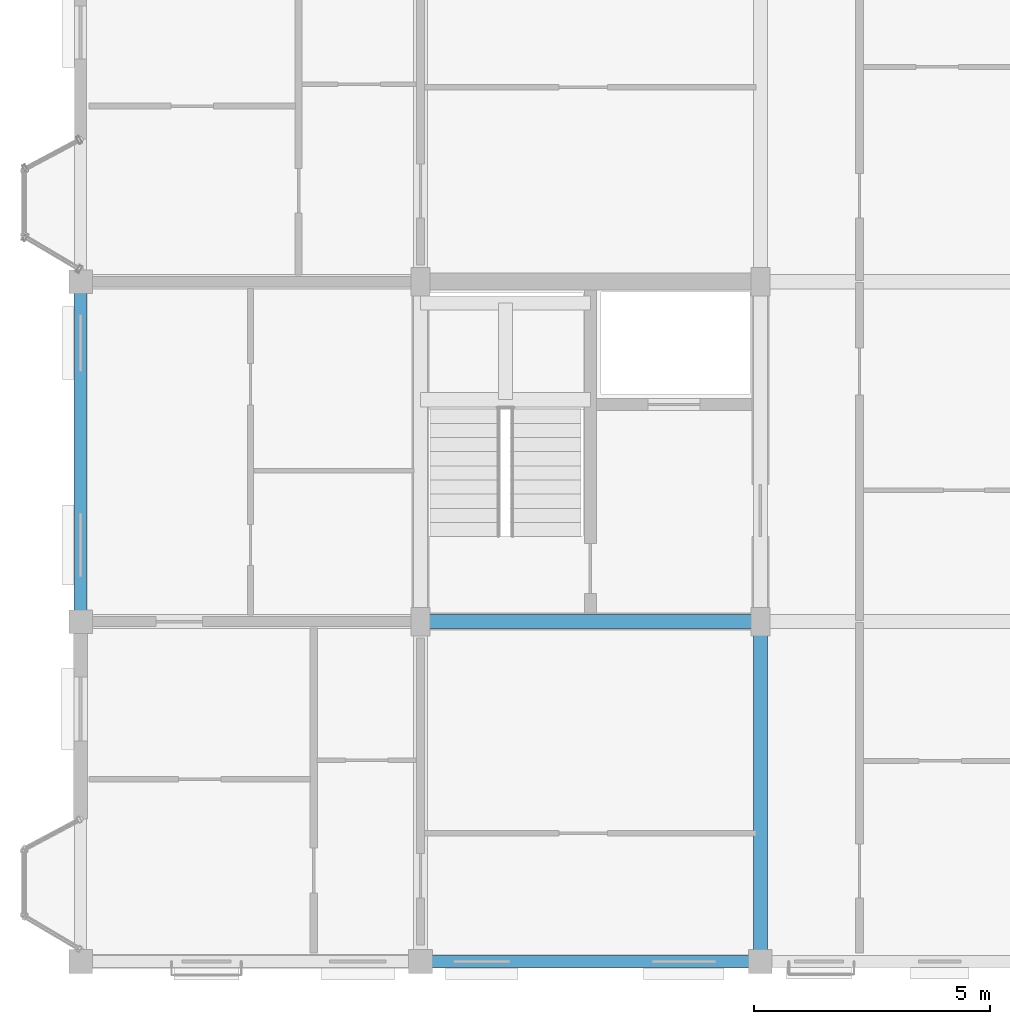
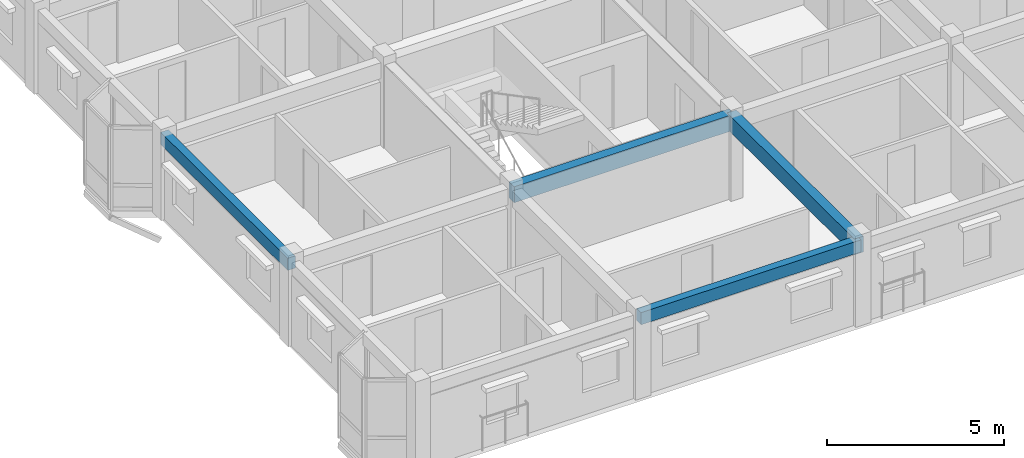
# One storey, part 4 of 38: 4 beams.
"""IFC4 building model written with IfcOpenShell, lengths in metres."""

from ifc_helpers import new_model, si_unit, direction, frame, origin, origin_2d, place, context, subcontext, project, spatial, rectangle, extrude, material, material_profile, profile_set, type_object, element, save


model = new_model("IFC4")

# Units and contexts
model_context = context("Model", 3, precision=1e-05, world=origin(), true_north=direction((0.0, 1.0)))
body_context = subcontext(model_context, "Body", "Model", "MODEL_VIEW")
ifc_project = project(units=[si_unit("LENGTHUNIT", "METRE"), si_unit("AREAUNIT", "SQUARE_METRE"), si_unit("VOLUMEUNIT", "CUBIC_METRE"), si_unit("PLANEANGLEUNIT", "RADIAN"), si_unit("MASSUNIT", "GRAM", prefix="KILO"), si_unit("THERMODYNAMICTEMPERATUREUNIT", "KELVIN"), si_unit("POWERUNIT", "WATT")], contexts=[model_context])

# Site, building, storey
site_placement = place(None, origin())
site = spatial("IfcSite", under=ifc_project, at=site_placement, CompositionType="ELEMENT")
building_placement = place(site_placement, origin())
building = spatial("IfcBuilding", under=site, at=building_placement, Name="Tavuni Mirador Residences", CompositionType="ELEMENT")
storey_placement = place(building_placement, frame((0.0, 0.0, 32.85009765625)))
storey = spatial("IfcBuildingStorey", under=building, at=storey_placement, Name="L10", CompositionType="ELEMENT", Elevation=32.85009765625)

# Beams
ifc_material = material(Name="Precast concrete C40/50", Category="concrete")
ifc_material_profile_1 = material_profile(ifc_material, rectangle(XDim=0.300048828125, YDim=0.550048828125, at=origin_2d()), Name="PC 300x550", Category="concrete")
ifc_profile_set_1 = profile_set([ifc_material_profile_1], Name="Precast concrete C40/50")
beam_type_1 = type_object("IfcBeamType", Name="BT-B550", PredefinedType="BEAM", material=ifc_profile_set_1)
for number, where, z_axis, x_axis, name in (
    (1, (10.800048828125, 14.39990234375, 2.594970703125), (1.0, 0.0, 0.0), (0.0, 1.0, 0.0), "BMX-BLK-A-L10-01-01"),
    (2, (18.0, 7.199951171875, 2.594970703125), (0.0, 1.0, 0.0), (-1.0, 0.0, 0.0), "BMY-BLK-A-L10-02-00"),
):
    element("IfcBeam", number, at=place(storey_placement, frame(where, z_axis=z_axis, x_axis=x_axis)), inside=storey, type_object=beam_type_1, Name=name, PredefinedType="BEAM", context=body_context, shape_type="SweptSolid", body=[
        extrude(rectangle(XDim=0.300048828125, YDim=0.550048828125, at=origin_2d()), origin(), (0.0, 0.0, 1.0), 7.199951171875),
    ])
ifc_material_profile_2 = material_profile(ifc_material, rectangle(XDim=0.25, YDim=0.419921875, at=origin_2d()), Name="PC 250x420", Category="concrete")
ifc_profile_set_2 = profile_set([ifc_material_profile_2], Name="Precast concrete C40/50")
beam_type_2 = type_object("IfcBeamType", Name="BT-SP420", PredefinedType="SPANDREL", material=ifc_profile_set_2)
beam_1_placement = place(storey_placement, frame((10.800048828125, 7.199951171875, 2.659912109375), z_axis=(1.0, 0.0, 0.0), x_axis=(0.0, 1.0, 0.0)))
element("IfcBeam", 3, at=beam_1_placement, inside=storey, type_object=beam_type_2, Name="BMX-BLK-A-L10-01-00", PredefinedType="SPANDREL", context=body_context, shape_type="SweptSolid", body=[
    extrude(rectangle(XDim=0.25, YDim=0.419921875, at=origin_2d()), origin(), (0.0, 0.0, 1.0), 7.199951171875),
])
beam_2_placement = place(storey_placement, frame((3.60009765625, 14.39990234375, 2.659912109375), z_axis=(0.0, 1.0, 0.0), x_axis=(-1.0, 0.0, 0.0)))
element("IfcBeam", 4, at=beam_2_placement, inside=storey, type_object=beam_type_2, Name="BMY-BLK-A-L10-00-01", PredefinedType="SPANDREL", context=body_context, shape_type="SweptSolid", body=[
    extrude(rectangle(XDim=0.25, YDim=0.419921875, at=origin_2d()), origin(), (0.0, 0.0, 1.0), 7.2001953125),
])

save(model, "model.ifc")
